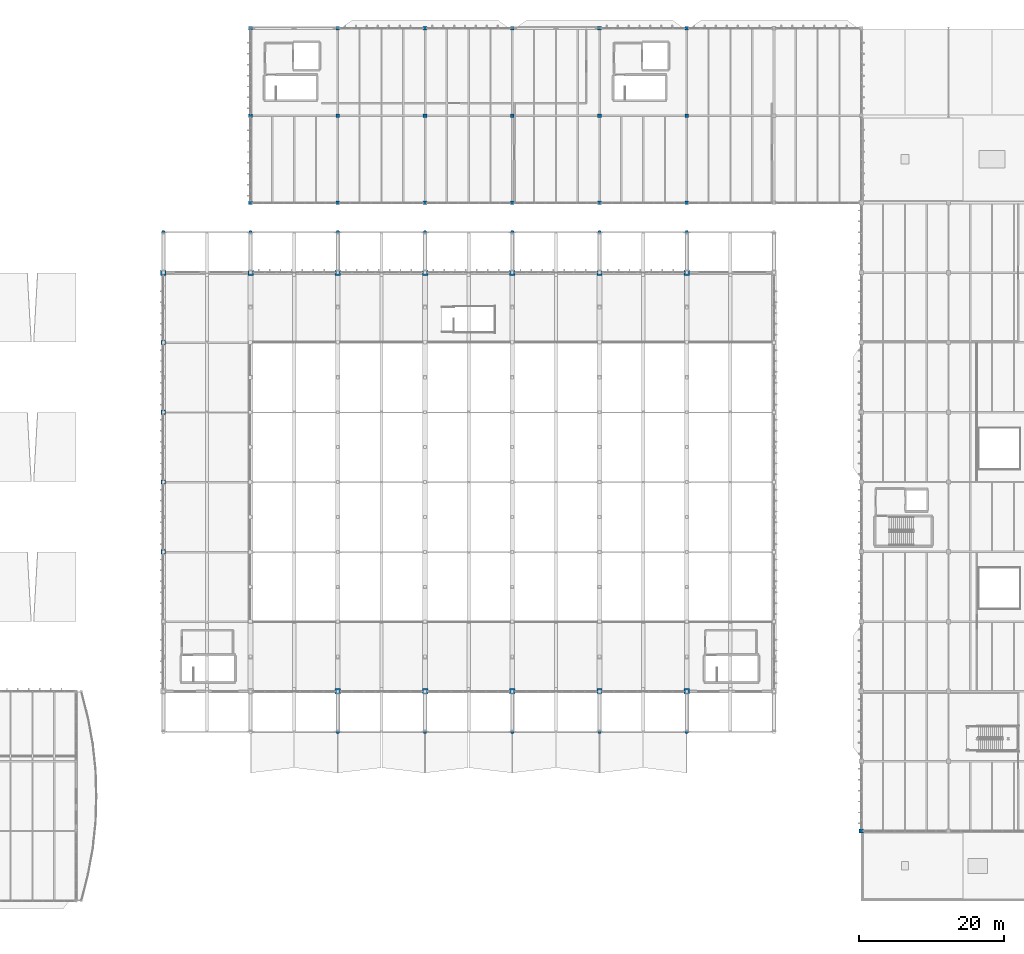
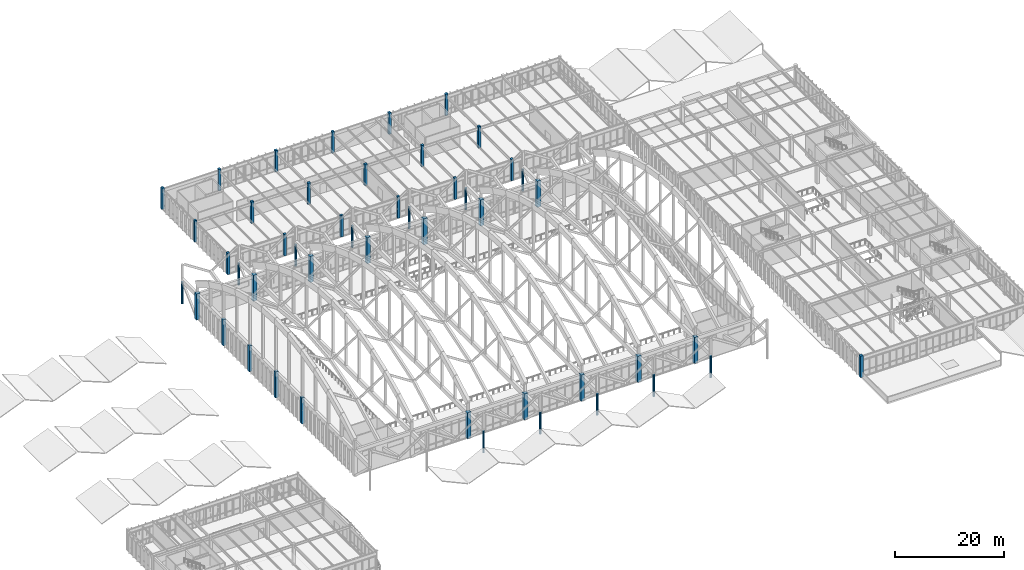
# One storey, part 3 of 236: 47 columns.
"""IFC4 building model written with IfcOpenShell, lengths in metres."""

from ifc_helpers import new_model, si_unit, direction, frame, origin, origin_2d, place, context, subcontext, project, spatial, rectangle, circle, extrude, material, material_profile, profile_set, type_object, element, save


model = new_model("IFC4")

# Units and contexts
model_context = context("Model", 3, precision=1e-05, world=origin(), true_north=direction((0.0, 1.0)))
body_context = subcontext(model_context, "Body", "Model", "MODEL_VIEW")
ifc_project = project(units=[si_unit("LENGTHUNIT", "METRE"), si_unit("AREAUNIT", "SQUARE_METRE"), si_unit("VOLUMEUNIT", "CUBIC_METRE"), si_unit("PLANEANGLEUNIT", "RADIAN"), si_unit("MASSUNIT", "GRAM", prefix="KILO")], contexts=[model_context])

# Site, building, storey
site_placement = place(None, origin())
site = spatial("IfcSite", under=ifc_project, at=site_placement, CompositionType="ELEMENT")
building_placement = place(site_placement, origin())
building = spatial("IfcBuilding", under=site, at=building_placement, Name="Pandanus Reach Market Hall", CompositionType="ELEMENT")
storey_placement = place(building_placement, frame((0.0, 0.0, 5.39990234375)))
storey = spatial("IfcBuildingStorey", under=building, at=storey_placement, Name="L01", CompositionType="ELEMENT", Elevation=5.39990234375)

# Columns
ifc_material_1 = material(Name="Concrete N40 (40 MPa)", Category="concrete")
ifc_material_profile_1 = material_profile(ifc_material_1, rectangle(XDim=0.5, YDim=0.5, at=origin_2d()), Name="RC500x500", Category="LoadBearing")
ifc_profile_set_1 = profile_set([ifc_material_profile_1], Name="Concrete N40 (40 MPa)")
column_type_1 = type_object("IfcColumnType", Name="CL-RC500-E", PredefinedType="COLUMN", material=ifc_profile_set_1)
for number, where, z_axis, x_axis, name in (
    (1, (60.0, 96.0, 0.0), (0.0, 0.0, 1.0), (1.0, 0.0, 0.0), "Column CL-RC500-E V5-60-960 L01"),
    (2, (60.0, 108.0, 0.0), (0.0, 0.0, 1.0), (1.0, 0.0, 0.0), "Column CL-RC500-E V5-60-1080 L01"),
    (3, (60.0, 120.0, 0.0), (0.0, 0.0, 1.0), (1.0, 0.0, 0.0), "Column CL-RC500-E V5-60-1200 L01"),
    (4, (72.0, 96.0, 0.0), (0.0, 0.0, 1.0), (1.0, 0.0, 0.0), "Column CL-RC500-E V5-72-960 L01"),
    (5, (72.0, 120.0, 0.0), (0.0, 0.0, 1.0), (1.0, 0.0, 0.0), "Column CL-RC500-E V5-72-1200 L01"),
    (6, (84.0, 96.0, 0.0), (0.0, 0.0, 1.0), (1.0, 0.0, 0.0), "Column CL-RC500-E V5-84-960 L01"),
    (7, (84.0, 120.0, 0.0), (0.0, 0.0, 1.0), (1.0, 0.0, 0.0), "Column CL-RC500-E V5-84-1200 L01"),
    (8, (96.0, 96.0, 0.0), (0.0, 0.0, 1.0), (1.0, 0.0, 0.0), "Column CL-RC500-E V5-96-960 L01"),
    (9, (96.0, 120.0, 0.0), (0.0, 0.0, 1.0), (1.0, 0.0, 0.0), "Column CL-RC500-E V5-96-1200 L01"),
    (10, (108.0, 96.0, 0.0), (0.0, 0.0, 1.0), (1.0, 0.0, 0.0), "Column CL-RC500-E V5-108-960 L01"),
    (11, (108.0, 120.0, 0.0), (0.0, 0.0, 1.0), (1.0, 0.0, 0.0), "Column CL-RC500-E V5-108-1200 L01"),
    (12, (120.0, 96.0, 0.0), (0.0, 0.0, 1.0), (1.0, 0.0, 0.0), "Column CL-RC500-E V5-120-960 L01"),
    (13, (120.0, 120.0, 0.0), (0.0, 0.0, 1.0), (1.0, 0.0, 0.0), "Column CL-RC500-E V5-120-1200 L01"),
):
    element("IfcColumn", number, at=place(storey_placement, frame(where, z_axis=z_axis, x_axis=x_axis)), inside=storey, type_object=column_type_1, Name=name, PredefinedType="COLUMN", context=body_context, shape_type="SweptSolid", body=[
        extrude(rectangle(XDim=0.5, YDim=0.5, at=origin_2d()), origin(), (0.0, 0.0, 1.0), 4.800048828125),
    ])
ifc_material_profile_2 = material_profile(ifc_material_1, rectangle(XDim=0.5, YDim=0.5, at=origin_2d()), Name="RC500x500", Category="LoadBearing")
ifc_profile_set_2 = profile_set([ifc_material_profile_2], Name="Concrete N40 (40 MPa)")
column_type_2 = type_object("IfcColumnType", Name="CL-RC500-I", PredefinedType="COLUMN", material=ifc_profile_set_2)
for number, where, z_axis, x_axis, name in (
    (14, (72.0, 108.0, 0.0), (0.0, 0.0, 1.0), (1.0, 0.0, 0.0), "Column CL-RC500-I V5-72-1080 L01"),
    (15, (84.0, 108.0, 0.0), (0.0, 0.0, 1.0), (1.0, 0.0, 0.0), "Column CL-RC500-I V5-84-1080 L01"),
    (16, (96.0, 108.0, 0.0), (0.0, 0.0, 1.0), (1.0, 0.0, 0.0), "Column CL-RC500-I V5-96-1080 L01"),
    (17, (108.0, 108.0, 0.0), (0.0, 0.0, 1.0), (1.0, 0.0, 0.0), "Column CL-RC500-I V5-108-1080 L01"),
    (18, (120.0, 108.0, 0.0), (0.0, 0.0, 1.0), (1.0, 0.0, 0.0), "Column CL-RC500-I V5-120-1080 L01"),
):
    element("IfcColumn", number, at=place(storey_placement, frame(where, z_axis=z_axis, x_axis=x_axis)), inside=storey, type_object=column_type_2, Name=name, PredefinedType="COLUMN", context=body_context, shape_type="SweptSolid", body=[
        extrude(rectangle(XDim=0.5, YDim=0.5, at=origin_2d()), origin(), (0.0, 0.0, 1.0), 4.800048828125),
    ])
ifc_material_profile_3 = material_profile(ifc_material_1, rectangle(XDim=0.60009765625, YDim=0.60009765625, at=origin_2d()), Name="RC600x600", Category="LoadBearing")
ifc_profile_set_3 = profile_set([ifc_material_profile_3], Name="Concrete N40 (40 MPa)")
column_type_3 = type_object("IfcColumnType", Name="CL-RC600-E", PredefinedType="COLUMN", material=ifc_profile_set_3)
column_placement = place(storey_placement, frame((144.0, 9.60009765625, 0.0), z_axis=(0.0, 0.0, 1.0), x_axis=(1.0, 0.0, 0.0)))
element("IfcColumn", 19, at=column_placement, inside=storey, type_object=column_type_3, Name="Column CL-RC600-E V4-144-96 L01", PredefinedType="COLUMN", context=body_context, shape_type="SweptSolid", body=[
    extrude(rectangle(XDim=0.60009765625, YDim=0.60009765625, at=origin_2d()), origin(), (0.0, 0.0, 1.0), 4.800048828125),
])
for number, where, z_axis, x_axis, name in (
    (20, (48.0, 76.800048828125, 0.0), (0.0, 0.0, 1.0), (1.0, 0.0, 0.0), "Column CL-RC600-E V1M-48-768 L01"),
    (21, (48.0, 48.0, 0.0), (0.0, 0.0, 1.0), (1.0, 0.0, 0.0), "Column CL-RC600-E V1G-48-480 L01"),
    (22, (48.0, 57.60009765625, 0.0), (0.0, 0.0, 1.0), (1.0, 0.0, 0.0), "Column CL-RC600-E V1G-48-576 L01"),
    (23, (48.0, 67.199951171875, 0.0), (0.0, 0.0, 1.0), (1.0, 0.0, 0.0), "Column CL-RC600-E V1G-48-672 L01"),
):
    element("IfcColumn", number, at=place(storey_placement, frame(where, z_axis=z_axis, x_axis=x_axis)), inside=storey, type_object=column_type_3, Name=name, PredefinedType="COLUMN", context=body_context, shape_type="SweptSolid", body=[
        extrude(rectangle(XDim=0.60009765625, YDim=0.60009765625, at=origin_2d()), origin(), (0.0, 0.0, 1.0), 5.800048828125),
    ])
ifc_material_2 = material(Name="Concrete N50 (50 MPa)", Category="concrete")
ifc_material_profile_4 = material_profile(ifc_material_2, rectangle(XDim=0.75, YDim=0.75, at=origin_2d()), Name="RC750x750", Category="LoadBearing")
ifc_profile_set_4 = profile_set([ifc_material_profile_4], Name="Concrete N50 (50 MPa)")
column_type_4 = type_object("IfcColumnType", Name="CL-RC750-E", PredefinedType="COLUMN", material=ifc_profile_set_4)
for number, where, z_axis, x_axis, name in (
    (24, (48.0, 86.39990234375, 0.0), (0.0, 0.0, 1.0), (1.0, 0.0, 0.0), "Column CL-RC750-E V1A-48-864 L01"),
    (25, (60.0, 86.39990234375, 0.0), (0.0, 0.0, 1.0), (1.0, 0.0, 0.0), "Column CL-RC750-E V1A-60-864 L01"),
    (26, (72.0, 28.800048828125, 0.0), (0.0, 0.0, 1.0), (1.0, 0.0, 0.0), "Column CL-RC750-E V1A-72-288 L01"),
    (27, (72.0, 86.39990234375, 0.0), (0.0, 0.0, 1.0), (1.0, 0.0, 0.0), "Column CL-RC750-E V1A-72-864 L01"),
    (28, (84.0, 28.800048828125, 0.0), (0.0, 0.0, 1.0), (1.0, 0.0, 0.0), "Column CL-RC750-E V1A-84-288 L01"),
    (29, (84.0, 86.39990234375, 0.0), (0.0, 0.0, 1.0), (1.0, 0.0, 0.0), "Column CL-RC750-E V1A-84-864 L01"),
    (30, (96.0, 28.800048828125, 0.0), (0.0, 0.0, 1.0), (1.0, 0.0, 0.0), "Column CL-RC750-E V1A-96-288 L01"),
    (31, (96.0, 86.39990234375, 0.0), (0.0, 0.0, 1.0), (1.0, 0.0, 0.0), "Column CL-RC750-E V1A-96-864 L01"),
    (32, (108.0, 28.800048828125, 0.0), (0.0, 0.0, 1.0), (1.0, 0.0, 0.0), "Column CL-RC750-E V1A-108-288 L01"),
    (33, (108.0, 86.39990234375, 0.0), (0.0, 0.0, 1.0), (1.0, 0.0, 0.0), "Column CL-RC750-E V1A-108-864 L01"),
    (34, (120.0, 28.800048828125, 0.0), (0.0, 0.0, 1.0), (1.0, 0.0, 0.0), "Column CL-RC750-E V1A-120-288 L01"),
    (35, (120.0, 86.39990234375, 0.0), (0.0, 0.0, 1.0), (1.0, 0.0, 0.0), "Column CL-RC750-E V1A-120-864 L01"),
):
    element("IfcColumn", number, at=place(storey_placement, frame(where, z_axis=z_axis, x_axis=x_axis)), inside=storey, type_object=column_type_4, Name=name, PredefinedType="COLUMN", context=body_context, shape_type="SweptSolid", body=[
        extrude(rectangle(XDim=0.75, YDim=0.75, at=origin_2d()), origin(), (0.0, 0.0, 1.0), 5.800048828125),
    ])
ifc_material_3 = material(Name="Precast concrete S50 (50 MPa)", Category="concrete")
ifc_material_profile_5 = material_profile(ifc_material_3, circle(Radius=0.22509765625, at=origin_2d()), Name="RC450D", Category="LoadBearing")
ifc_profile_set_5 = profile_set([ifc_material_profile_5], Name="Precast concrete S50 (50 MPa)")
column_type_5 = type_object("IfcColumnType", Name="PL-RC450-E", PredefinedType="PILASTER", material=ifc_profile_set_5)
for number, where, z_axis, x_axis, name in (
    (36, (72.0, 23.199951171875, 0.0), (0.0, 0.0, 1.0), (1.0, 0.0, 0.0), "Arcade upper pilaster P3.L01"),
    (37, (84.0, 23.199951171875, 0.0), (0.0, 0.0, 1.0), (1.0, 0.0, 0.0), "Arcade upper pilaster P4.L01"),
    (38, (96.0, 23.199951171875, 0.0), (0.0, 0.0, 1.0), (1.0, 0.0, 0.0), "Arcade upper pilaster P5.L01"),
    (39, (108.0, 23.199951171875, 0.0), (0.0, 0.0, 1.0), (1.0, 0.0, 0.0), "Arcade upper pilaster P6.L01"),
    (40, (120.0, 23.199951171875, 0.0), (0.0, 0.0, 1.0), (1.0, 0.0, 0.0), "Arcade upper pilaster P7.L01"),
    (41, (48.0, 92.0, 0.0), (0.0, 0.0, 1.0), (1.0, 0.0, 0.0), "Arcade upper pilaster P9.L01"),
    (42, (60.0, 92.0, 0.0), (0.0, 0.0, 1.0), (1.0, 0.0, 0.0), "Arcade upper pilaster P10.L01"),
    (43, (72.0, 92.0, 0.0), (0.0, 0.0, 1.0), (1.0, 0.0, 0.0), "Arcade upper pilaster P11.L01"),
    (44, (84.0, 92.0, 0.0), (0.0, 0.0, 1.0), (1.0, 0.0, 0.0), "Arcade upper pilaster P12.L01"),
    (45, (96.0, 92.0, 0.0), (0.0, 0.0, 1.0), (1.0, 0.0, 0.0), "Arcade upper pilaster P13.L01"),
    (46, (108.0, 92.0, 0.0), (0.0, 0.0, 1.0), (1.0, 0.0, 0.0), "Arcade upper pilaster P14.L01"),
    (47, (120.0, 92.0, 0.0), (0.0, 0.0, 1.0), (1.0, 0.0, 0.0), "Arcade upper pilaster P15.L01"),
):
    element("IfcColumn", number, at=place(storey_placement, frame(where, z_axis=z_axis, x_axis=x_axis)), inside=storey, type_object=column_type_5, Name=name, PredefinedType="PILASTER", context=body_context, shape_type="SweptSolid", body=[
        extrude(circle(Radius=0.22509765625, at=origin_2d()), origin(), (0.0, 0.0, 1.0), 4.860107421875),
    ])

save(model, "model.ifc")
